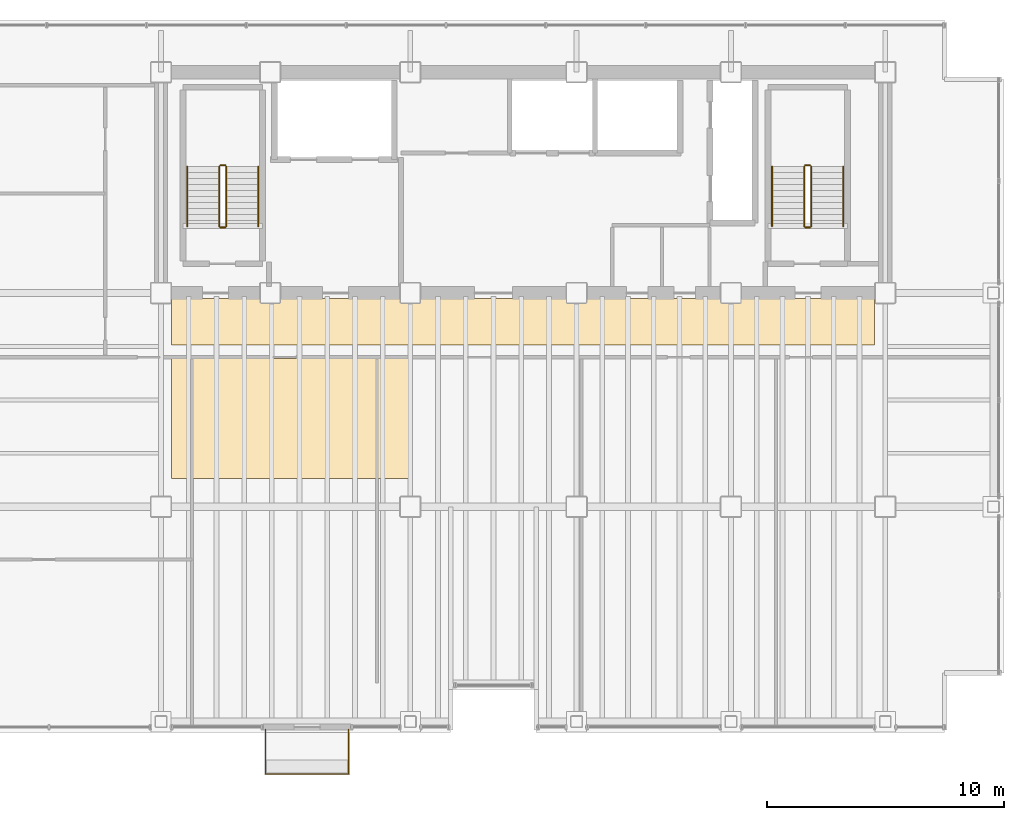
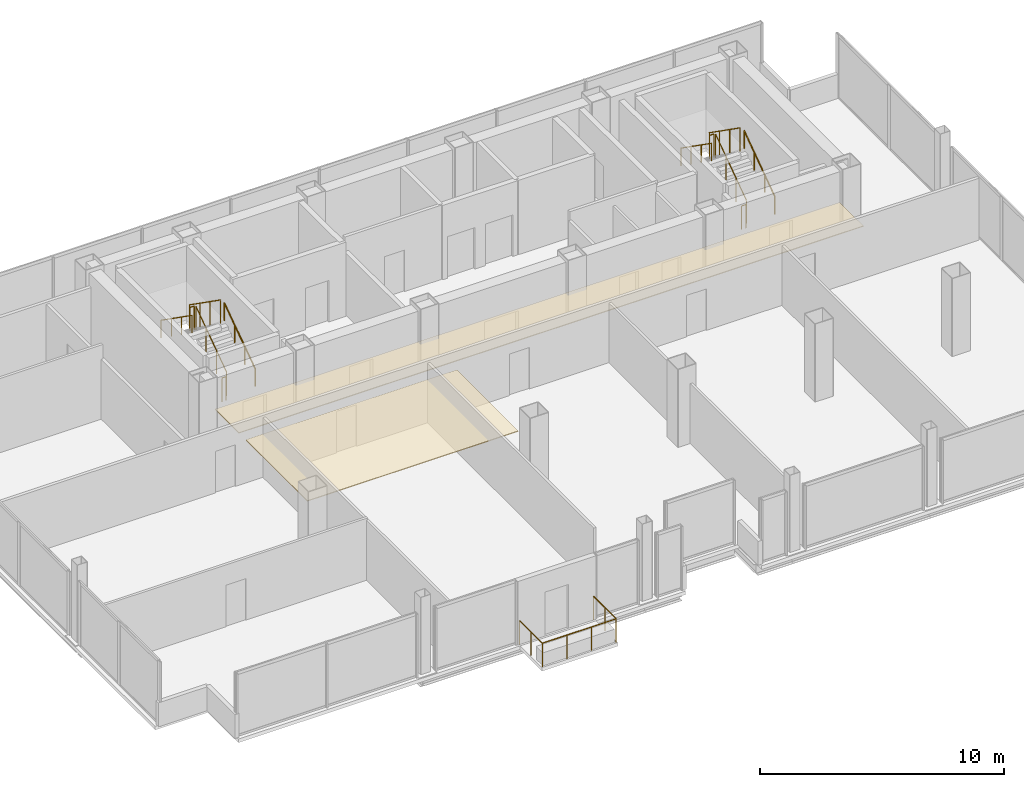
# One storey, part 20 of 20: 13 railings, 2 coverings.
"""IFC4 building model written with IfcOpenShell, lengths in metres."""

from ifc_helpers import new_model, si_unit, direction, frame, origin, origin_2d, place, context, subcontext, project, spatial, polyline, circle, outline, extrude, material, layer, layer_set, type_object, element, save


model = new_model("IFC4")

# Units and contexts
model_context = context("Model", 3, precision=1e-05, world=origin(), true_north=direction((0.0, 1.0)))
body_context = subcontext(model_context, "Body", "Model", "MODEL_VIEW")
ifc_project = project(units=[si_unit("LENGTHUNIT", "METRE"), si_unit("AREAUNIT", "SQUARE_METRE"), si_unit("VOLUMEUNIT", "CUBIC_METRE"), si_unit("PLANEANGLEUNIT", "RADIAN"), si_unit("MASSUNIT", "GRAM", prefix="KILO")], contexts=[model_context])

# Site, building, storey
site_placement = place(None, origin())
site = spatial("IfcSite", under=ifc_project, at=site_placement, CompositionType="ELEMENT")
building_placement = place(site_placement, origin())
building = spatial("IfcBuilding", under=site, at=building_placement, Name="Noeulbin Bourse Tower", CompositionType="ELEMENT")
storey_placement = place(building_placement, frame((0.0, 0.0, 126.60009765625)))
storey = spatial("IfcBuildingStorey", under=building, at=storey_placement, Name="L31", CompositionType="ELEMENT", Elevation=126.60009765625)

# Coverings
ifc_material_1 = material(Name="Perforated Mineral-Fibre Acoustic Tile")
ifc_layer_1 = layer(ifc_material_1, 0.0400390625)
ifc_layer_set_1 = layer_set([ifc_layer_1], Name="Perforated Mineral-Fibre Acoustic Tile")
covering_type = type_object("IfcCoveringType", Name="COV-CEIL-ACT", PredefinedType="CEILING", material=ifc_layer_set_1)
covering_1_placement = place(storey_placement, frame((0.0, 0.0, 2.10986328125)))
element("IfcCovering", 1, at=covering_1_placement, inside=storey, type_object=covering_type, Name="Corridor Suspended Ceiling L31", PredefinedType="CEILING", context=body_context, shape_type="SweptSolid", body=[
    extrude(outline(polyline([(13.949951171875, 26.820068359375), (43.550048828125, 26.820068359375), (43.550048828125, 28.780029296875), (13.949951171875, 28.780029296875), (13.949951171875, 26.820068359375)])), origin(), (0.0, 0.0, 1.0), 0.0400390625),
])
covering_2_placement = place(storey_placement, frame((0.0, 0.0, 2.10986328125)))
element("IfcCovering", 2, at=covering_2_placement, inside=storey, type_object=covering_type, Name="Trading Suite Acoustic Ceiling L31", PredefinedType="CEILING", context=body_context, shape_type="SweptSolid", body=[
    extrude(outline(polyline([(13.949951171875, 21.199951171875), (23.949951171875, 21.199951171875), (23.949951171875, 26.25), (13.949951171875, 26.25), (13.949951171875, 21.199951171875)])), origin(), (0.0, 0.0, 1.0), 0.0400390625),
])

# Railings
ifc_material_2 = material(Name="Laminated SentryGlas and Stainless Steel 316", Category="steel")
ifc_layer_2 = layer(ifc_material_2, 0.06005859375)
ifc_layer_set_2 = layer_set([ifc_layer_2], Name="Laminated SentryGlas and Stainless Steel 316")
railing_type_1 = type_object("IfcRailingType", Name="RLG-BAL-1200", PredefinedType="BALUSTRADE", material=ifc_layer_set_2)
railing_1_placement = place(storey_placement, frame((17.89990234375, 10.6201171875, 0.0)))
element("IfcRailing", 3, at=railing_1_placement, inside=storey, type_object=railing_type_1, Name="Tree-Balcony Glazed Balustrade L31", PredefinedType="BALUSTRADE", context=body_context, shape_type="SweptSolid", body=[
    extrude(circle(Radius=0.02392578125, at=origin_2d()), frame((0.0, 0.0, 1.17578125), z_axis=(0.0, -1.0, 0.0), x_axis=(1.0, 0.0, 0.0)), (0.0, 0.0, 1.0), 1.8701171875),
    extrude(circle(Radius=0.02392578125, at=origin_2d()), frame((0.0, -1.8701171875, 1.17578125), z_axis=(1.0, 0.0, 0.0), x_axis=(0.0, 1.0, 0.0)), (0.0, 0.0, 1.0), 3.5),
    extrude(circle(Radius=0.02392578125, at=origin_2d()), frame((3.5, -1.8701171875, 1.17578125), z_axis=(0.0, 1.0, 0.0), x_axis=(-1.0, 0.0, 0.0)), (0.0, 0.0, 1.0), 1.8701171875),
    extrude(circle(Radius=0.02099609375, at=origin_2d()), origin(), (0.0, 0.0, 1.0), 1.15185546875),
    extrude(circle(Radius=0.02099609375, at=origin_2d()), frame((0.0, -0.93505859375, 0.0)), (0.0, 0.0, 1.0), 1.15185546875),
    extrude(circle(Radius=0.02099609375, at=origin_2d()), frame((0.0, -1.8701171875, 0.0)), (0.0, 0.0, 1.0), 1.15185546875),
    extrude(circle(Radius=0.02099609375, at=origin_2d()), frame((1.166748046875, -1.8701171875, 0.0)), (0.0, 0.0, 1.0), 1.15185546875),
    extrude(circle(Radius=0.02099609375, at=origin_2d()), frame((2.333251953125, -1.8701171875, 0.0)), (0.0, 0.0, 1.0), 1.15185546875),
    extrude(circle(Radius=0.02099609375, at=origin_2d()), frame((3.5, -1.8701171875, 0.0)), (0.0, 0.0, 1.0), 1.15185546875),
    extrude(circle(Radius=0.02099609375, at=origin_2d()), frame((3.5, -0.93505859375, 0.0)), (0.0, 0.0, 1.0), 1.15185546875),
    extrude(circle(Radius=0.02099609375, at=origin_2d()), frame((3.5, 0.0, 0.0)), (0.0, 0.0, 1.0), 1.15185546875),
])
ifc_material_3 = material(Name="Painted Tubular Steel S355", Category="steel")
ifc_layer_3 = layer(ifc_material_3, 0.048095703125)
ifc_layer_set_3 = layer_set([ifc_layer_3], Name="Painted Tubular Steel S355")
railing_type_2 = type_object("IfcRailingType", Name="RLG-STR-GRD", PredefinedType="GUARDRAIL", material=ifc_layer_set_3)
railing_2_placement = place(storey_placement, frame((16.25, 31.81005859375, 0.17724609375)))
element("IfcRailing", 4, at=railing_2_placement, inside=storey, type_object=railing_type_2, Name="L31 ST-1 stair guard 1", PredefinedType="GUARDRAIL", context=body_context, shape_type="SweptSolid", body=[
    extrude(circle(Radius=0.02392578125, at=origin_2d()), frame((0.0, 0.0, 1.17578125), z_axis=(0.0, 0.817904474719, 0.575354039036), x_axis=(-1.0, 0.0, 0.0)), (0.0, 0.0, 1.0), 3.0810546875),
    extrude(circle(Radius=0.02099609375, at=origin_2d()), origin(), (0.0, 0.0, 1.0), 1.15185546875),
    extrude(circle(Radius=0.02099609375, at=origin_2d()), frame((0.0, 0.840087890625, 0.5908203125)), (0.0, 0.0, 1.0), 1.15185546875),
    extrude(circle(Radius=0.02099609375, at=origin_2d()), frame((0.0, 1.679931640625, 1.181884765625)), (0.0, 0.0, 1.0), 1.15185546875),
    extrude(circle(Radius=0.02099609375, at=origin_2d()), frame((0.0, 2.52001953125, 1.772705078125)), (0.0, 0.0, 1.0), 1.15185546875),
])
railing_3_placement = place(storey_placement, frame((16.199951171875, 34.3798828125, 1.949951171875)))
element("IfcRailing", 5, at=railing_3_placement, inside=storey, type_object=railing_type_2, Name="L31 ST-1 stair guard 2", PredefinedType="GUARDRAIL", context=body_context, shape_type="SweptSolid", body=[
    extrude(circle(Radius=0.02392578125, at=origin_2d()), frame((0.0, 0.0, 1.17578125), z_axis=(-1.0, 0.0, 0.0), x_axis=(0.0, -1.0, 0.0)), (0.0, 0.0, 1.0), 0.199951171875),
    extrude(circle(Radius=0.02099609375, at=origin_2d()), origin(), (0.0, 0.0, 1.0), 1.15185546875),
    extrude(circle(Radius=0.02099609375, at=origin_2d()), frame((-0.199951171875, 0.0, 0.0)), (0.0, 0.0, 1.0), 1.15185546875),
])
railing_4_placement = place(storey_placement, frame((15.949951171875, 34.330078125, 2.127197265625)))
element("IfcRailing", 6, at=railing_4_placement, inside=storey, type_object=railing_type_2, Name="L31 ST-1 stair guard 3", PredefinedType="GUARDRAIL", context=body_context, shape_type="SweptSolid", body=[
    extrude(circle(Radius=0.02392578125, at=origin_2d()), frame((0.0, 0.0, 1.17578125), z_axis=(0.0, -0.817904474719, 0.575354039036), x_axis=(1.0, 0.0, 0.0)), (0.0, 0.0, 1.0), 3.0810546875),
    extrude(circle(Radius=0.02099609375, at=origin_2d()), origin(), (0.0, 0.0, 1.0), 1.15185546875),
    extrude(circle(Radius=0.02099609375, at=origin_2d()), frame((0.0, -0.840087890625, 0.5908203125)), (0.0, 0.0, 1.0), 1.15185546875),
    extrude(circle(Radius=0.02099609375, at=origin_2d()), frame((0.0, -1.679931640625, 1.181884765625)), (0.0, 0.0, 1.0), 1.15185546875),
    extrude(circle(Radius=0.02099609375, at=origin_2d()), frame((0.0, -2.52001953125, 1.772705078125)), (0.0, 0.0, 1.0), 1.15185546875),
])
railing_5_placement = place(storey_placement, frame((16.199951171875, 31.760009765625, 0.0)))
element("IfcRailing", 7, at=railing_5_placement, inside=storey, type_object=railing_type_2, Name="L31 ST-1 stair guard 4", PredefinedType="GUARDRAIL", context=body_context, shape_type="SweptSolid", body=[
    extrude(circle(Radius=0.02392578125, at=origin_2d()), frame((0.0, 0.0, 1.17578125), z_axis=(-1.0, 0.0, 0.0), x_axis=(0.0, -1.0, 0.0)), (0.0, 0.0, 1.0), 0.199951171875),
    extrude(circle(Radius=0.02099609375, at=origin_2d()), origin(), (0.0, 0.0, 1.0), 1.15185546875),
    extrude(circle(Radius=0.02099609375, at=origin_2d()), frame((-0.199951171875, 0.0, 0.0)), (0.0, 0.0, 1.0), 1.15185546875),
])
railing_6_placement = place(storey_placement, frame((40.8798828125, 31.81005859375, 0.17724609375)))
element("IfcRailing", 8, at=railing_6_placement, inside=storey, type_object=railing_type_2, Name="L31 ST-2 stair guard 1", PredefinedType="GUARDRAIL", context=body_context, shape_type="SweptSolid", body=[
    extrude(circle(Radius=0.02392578125, at=origin_2d()), frame((0.0, 0.0, 1.17578125), z_axis=(0.0, 0.817904474719, 0.575354039036), x_axis=(-1.0, 0.0, 0.0)), (0.0, 0.0, 1.0), 3.0810546875),
    extrude(circle(Radius=0.02099609375, at=origin_2d()), origin(), (0.0, 0.0, 1.0), 1.15185546875),
    extrude(circle(Radius=0.02099609375, at=origin_2d()), frame((0.0, 0.840087890625, 0.5908203125)), (0.0, 0.0, 1.0), 1.15185546875),
    extrude(circle(Radius=0.02099609375, at=origin_2d()), frame((0.0, 1.679931640625, 1.181884765625)), (0.0, 0.0, 1.0), 1.15185546875),
    extrude(circle(Radius=0.02099609375, at=origin_2d()), frame((0.0, 2.52001953125, 1.772705078125)), (0.0, 0.0, 1.0), 1.15185546875),
])
railing_7_placement = place(storey_placement, frame((40.830078125, 34.3798828125, 1.949951171875)))
element("IfcRailing", 9, at=railing_7_placement, inside=storey, type_object=railing_type_2, Name="L31 ST-2 stair guard 2", PredefinedType="GUARDRAIL", context=body_context, shape_type="SweptSolid", body=[
    extrude(circle(Radius=0.02392578125, at=origin_2d()), frame((0.0, 0.0, 1.17578125), z_axis=(-1.0, 0.0, 0.0), x_axis=(0.0, -1.0, 0.0)), (0.0, 0.0, 1.0), 0.2001953125),
    extrude(circle(Radius=0.02099609375, at=origin_2d()), origin(), (0.0, 0.0, 1.0), 1.15185546875),
    extrude(circle(Radius=0.02099609375, at=origin_2d()), frame((-0.2001953125, 0.0, 0.0)), (0.0, 0.0, 1.0), 1.15185546875),
])
railing_8_placement = place(storey_placement, frame((40.580078125, 34.330078125, 2.127197265625)))
element("IfcRailing", 10, at=railing_8_placement, inside=storey, type_object=railing_type_2, Name="L31 ST-2 stair guard 3", PredefinedType="GUARDRAIL", context=body_context, shape_type="SweptSolid", body=[
    extrude(circle(Radius=0.02392578125, at=origin_2d()), frame((0.0, 0.0, 1.17578125), z_axis=(0.0, -0.817904474719, 0.575354039036), x_axis=(1.0, 0.0, 0.0)), (0.0, 0.0, 1.0), 3.0810546875),
    extrude(circle(Radius=0.02099609375, at=origin_2d()), origin(), (0.0, 0.0, 1.0), 1.15185546875),
    extrude(circle(Radius=0.02099609375, at=origin_2d()), frame((0.0, -0.840087890625, 0.5908203125)), (0.0, 0.0, 1.0), 1.15185546875),
    extrude(circle(Radius=0.02099609375, at=origin_2d()), frame((0.0, -1.679931640625, 1.181884765625)), (0.0, 0.0, 1.0), 1.15185546875),
    extrude(circle(Radius=0.02099609375, at=origin_2d()), frame((0.0, -2.52001953125, 1.772705078125)), (0.0, 0.0, 1.0), 1.15185546875),
])
railing_9_placement = place(storey_placement, frame((40.830078125, 31.760009765625, 0.0)))
element("IfcRailing", 11, at=railing_9_placement, inside=storey, type_object=railing_type_2, Name="L31 ST-2 stair guard 4", PredefinedType="GUARDRAIL", context=body_context, shape_type="SweptSolid", body=[
    extrude(circle(Radius=0.02392578125, at=origin_2d()), frame((0.0, 0.0, 1.17578125), z_axis=(-1.0, 0.0, 0.0), x_axis=(0.0, -1.0, 0.0)), (0.0, 0.0, 1.0), 0.2001953125),
    extrude(circle(Radius=0.02099609375, at=origin_2d()), origin(), (0.0, 0.0, 1.0), 1.15185546875),
    extrude(circle(Radius=0.02099609375, at=origin_2d()), frame((-0.2001953125, 0.0, 0.0)), (0.0, 0.0, 1.0), 1.15185546875),
])
ifc_material_4 = material(Name="Brushed Stainless Steel 316", Category="steel")
ifc_layer_4 = layer(ifc_material_4, 0.048095703125)
ifc_layer_set_4 = layer_set([ifc_layer_4], Name="Brushed Stainless Steel 316")
railing_type_3 = type_object("IfcRailingType", Name="RLG-STR-HND", PredefinedType="HANDRAIL", material=ifc_layer_set_4)
railing_10_placement = place(storey_placement, frame((17.60009765625, 31.81005859375, 0.17724609375)))
element("IfcRailing", 12, at=railing_10_placement, inside=storey, type_object=railing_type_3, Name="L31 ST-1 stair handrail 1", PredefinedType="HANDRAIL", context=body_context, shape_type="SweptSolid", body=[
    extrude(circle(Radius=0.02392578125, at=origin_2d()), frame((0.0, 0.0, 0.8759765625), z_axis=(0.0, 0.817904474719, 0.575354039036), x_axis=(-1.0, 0.0, 0.0)), (0.0, 0.0, 1.0), 3.0810546875),
    extrude(circle(Radius=0.02099609375, at=origin_2d()), origin(), (0.0, 0.0, 1.0), 0.851806640625),
    extrude(circle(Radius=0.02099609375, at=origin_2d()), frame((0.0, 0.840087890625, 0.5908203125)), (0.0, 0.0, 1.0), 0.851806640625),
    extrude(circle(Radius=0.02099609375, at=origin_2d()), frame((0.0, 1.679931640625, 1.181884765625)), (0.0, 0.0, 1.0), 0.851806640625),
    extrude(circle(Radius=0.02099609375, at=origin_2d()), frame((0.0, 2.52001953125, 1.772705078125)), (0.0, 0.0, 1.0), 0.851806640625),
])
railing_11_placement = place(storey_placement, frame((14.60009765625, 34.330078125, 2.127197265625)))
element("IfcRailing", 13, at=railing_11_placement, inside=storey, type_object=railing_type_3, Name="L31 ST-1 stair handrail 2", PredefinedType="HANDRAIL", context=body_context, shape_type="SweptSolid", body=[
    extrude(circle(Radius=0.02392578125, at=origin_2d()), frame((0.0, 0.0, 0.8759765625), z_axis=(0.0, -0.817904474719, 0.575354039036), x_axis=(1.0, 0.0, 0.0)), (0.0, 0.0, 1.0), 3.0810546875),
    extrude(circle(Radius=0.02099609375, at=origin_2d()), origin(), (0.0, 0.0, 1.0), 0.851806640625),
    extrude(circle(Radius=0.02099609375, at=origin_2d()), frame((0.0, -0.840087890625, 0.5908203125)), (0.0, 0.0, 1.0), 0.851806640625),
    extrude(circle(Radius=0.02099609375, at=origin_2d()), frame((0.0, -1.679931640625, 1.181884765625)), (0.0, 0.0, 1.0), 0.851806640625),
    extrude(circle(Radius=0.02099609375, at=origin_2d()), frame((0.0, -2.52001953125, 1.772705078125)), (0.0, 0.0, 1.0), 0.851806640625),
])
railing_12_placement = place(storey_placement, frame((42.22998046875, 31.81005859375, 0.17724609375)))
element("IfcRailing", 14, at=railing_12_placement, inside=storey, type_object=railing_type_3, Name="L31 ST-2 stair handrail 1", PredefinedType="HANDRAIL", context=body_context, shape_type="SweptSolid", body=[
    extrude(circle(Radius=0.02392578125, at=origin_2d()), frame((0.0, 0.0, 0.8759765625), z_axis=(0.0, 0.817904474719, 0.575354039036), x_axis=(-1.0, 0.0, 0.0)), (0.0, 0.0, 1.0), 3.0810546875),
    extrude(circle(Radius=0.02099609375, at=origin_2d()), origin(), (0.0, 0.0, 1.0), 0.851806640625),
    extrude(circle(Radius=0.02099609375, at=origin_2d()), frame((0.0, 0.840087890625, 0.5908203125)), (0.0, 0.0, 1.0), 0.851806640625),
    extrude(circle(Radius=0.02099609375, at=origin_2d()), frame((0.0, 1.679931640625, 1.181884765625)), (0.0, 0.0, 1.0), 0.851806640625),
    extrude(circle(Radius=0.02099609375, at=origin_2d()), frame((0.0, 2.52001953125, 1.772705078125)), (0.0, 0.0, 1.0), 0.851806640625),
])
railing_13_placement = place(storey_placement, frame((39.22998046875, 34.330078125, 2.127197265625)))
element("IfcRailing", 15, at=railing_13_placement, inside=storey, type_object=railing_type_3, Name="L31 ST-2 stair handrail 2", PredefinedType="HANDRAIL", context=body_context, shape_type="SweptSolid", body=[
    extrude(circle(Radius=0.02392578125, at=origin_2d()), frame((0.0, 0.0, 0.8759765625), z_axis=(0.0, -0.817904474719, 0.575354039036), x_axis=(1.0, 0.0, 0.0)), (0.0, 0.0, 1.0), 3.0810546875),
    extrude(circle(Radius=0.02099609375, at=origin_2d()), origin(), (0.0, 0.0, 1.0), 0.851806640625),
    extrude(circle(Radius=0.02099609375, at=origin_2d()), frame((0.0, -0.840087890625, 0.5908203125)), (0.0, 0.0, 1.0), 0.851806640625),
    extrude(circle(Radius=0.02099609375, at=origin_2d()), frame((0.0, -1.679931640625, 1.181884765625)), (0.0, 0.0, 1.0), 0.851806640625),
    extrude(circle(Radius=0.02099609375, at=origin_2d()), frame((0.0, -2.52001953125, 1.772705078125)), (0.0, 0.0, 1.0), 0.851806640625),
])

save(model, "model.ifc")
